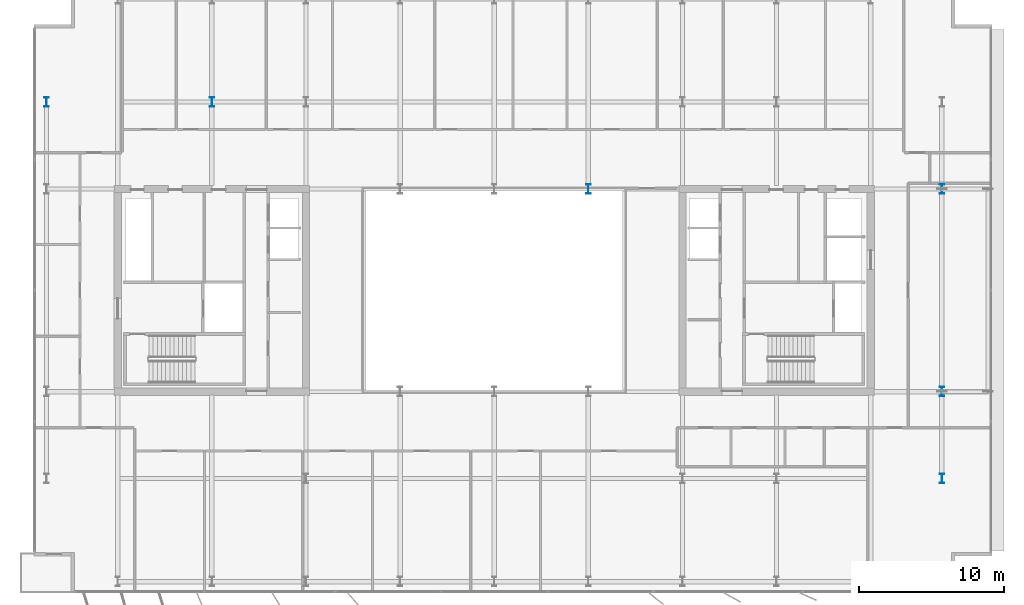
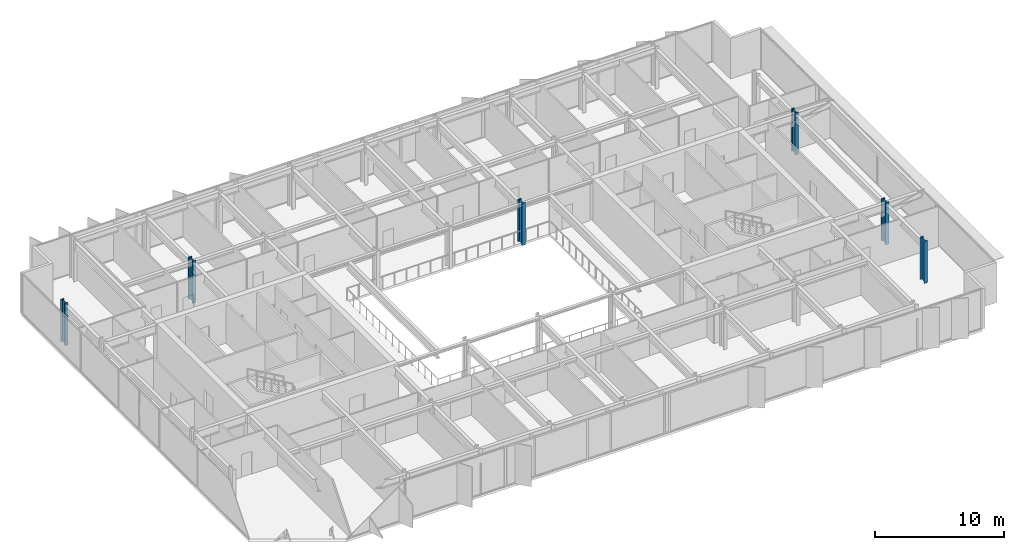
# One storey, part 2 of 20: 6 columns.
"""IFC4 building model written with IfcOpenShell, lengths in metres."""

from ifc_helpers import new_model, si_unit, direction, frame, origin, origin_2d, place, context, subcontext, project, spatial, i_section, extrude, material, material_profile, profile_set, type_object, element, save


model = new_model("IFC4")

# Units and contexts
model_context = context("Model", 3, precision=1e-05, world=origin(), true_north=direction((0.0, 1.0)))
body_context = subcontext(model_context, "Body", "Model", "MODEL_VIEW")
ifc_project = project(units=[si_unit("LENGTHUNIT", "METRE"), si_unit("AREAUNIT", "SQUARE_METRE"), si_unit("VOLUMEUNIT", "CUBIC_METRE"), si_unit("PLANEANGLEUNIT", "RADIAN"), si_unit("MASSUNIT", "GRAM", prefix="KILO")], contexts=[model_context])

# Site, building, storey
site_placement = place(None, origin())
site = spatial("IfcSite", under=ifc_project, at=site_placement, CompositionType="ELEMENT")
building_placement = place(site_placement, origin())
building = spatial("IfcBuilding", under=site, at=building_placement, Name="Putna Gate Headquarters", CompositionType="ELEMENT")
storey_placement = place(building_placement, frame((0.0, 0.0, 290.39990234375)))
storey = spatial("IfcBuildingStorey", under=building, at=storey_placement, Name="L73", CompositionType="ELEMENT", Elevation=290.39990234375)

# Columns
ifc_material = material(Name="Steel S460M", Category="steel")
ifc_material_profile_1 = material_profile(ifc_material, i_section(OverallWidth=0.304931640625, OverallDepth=0.66796875, WebThickness=0.02099609375, FlangeThickness=0.0400390625, at=origin_2d()), Name="Steel S460M")
ifc_profile_set_1 = profile_set([ifc_material_profile_1], Name="Steel S460M")
column_type_1 = type_object("IfcColumnType", Name="COL-STL-HEM650-EXT", PredefinedType="COLUMN", material=ifc_profile_set_1)
for number, where, z_axis, x_axis, name in (
    (1, (69.919921875, 13.0, 0.0), (0.0, 0.0, 1.0), (1.0, 0.0, 0.0), "L73 Column CP-E13"),
    (2, (69.919921875, 19.0, 0.0), (0.0, 0.0, 1.0), (1.0, 0.0, 0.0), "L73 Column CP-E19"),
    (3, (69.919921875, 33.0, 0.0), (0.0, 0.0, 1.0), (1.0, 0.0, 0.0), "L73 Column CP-E33"),
    (4, (8.080078125, 39.0, 0.0), (0.0, 0.0, 1.0), (1.0, 0.0, 0.0), "L73 Column CP-W39"),
):
    element("IfcColumn", number, at=place(storey_placement, frame(where, z_axis=z_axis, x_axis=x_axis)), inside=storey, type_object=column_type_1, Name=name, PredefinedType="COLUMN", context=body_context, shape_type="SweptSolid", body=[
        extrude(i_section(OverallWidth=0.304931640625, OverallDepth=0.66796875, WebThickness=0.02099609375, FlangeThickness=0.0400390625, at=origin_2d()), origin(), (0.0, 0.0, 1.0), 4.0),
    ])
ifc_material_profile_2 = material_profile(ifc_material, i_section(OverallWidth=0.304931640625, OverallDepth=0.66796875, WebThickness=0.02099609375, FlangeThickness=0.0400390625, at=origin_2d()), Name="Steel S460M")
ifc_profile_set_2 = profile_set([ifc_material_profile_2], Name="Steel S460M")
column_type_2 = type_object("IfcColumnType", Name="COL-STL-HEM650-INT", PredefinedType="COLUMN", material=ifc_profile_set_2)
for number, where, z_axis, x_axis, name in (
    (5, (19.5, 39.0, 0.0), (0.0, 0.0, 1.0), (1.0, 0.0, 0.0), "L73 Column CSI-WN"),
    (6, (45.5, 33.0, 0.0), (0.0, 0.0, 1.0), (1.0, 0.0, 0.0), "L73 Column CAI-N45"),
):
    element("IfcColumn", number, at=place(storey_placement, frame(where, z_axis=z_axis, x_axis=x_axis)), inside=storey, type_object=column_type_2, Name=name, PredefinedType="COLUMN", context=body_context, shape_type="SweptSolid", body=[
        extrude(i_section(OverallWidth=0.304931640625, OverallDepth=0.66796875, WebThickness=0.02099609375, FlangeThickness=0.0400390625, at=origin_2d()), origin(), (0.0, 0.0, 1.0), 4.0),
    ])

save(model, "model.ifc")
